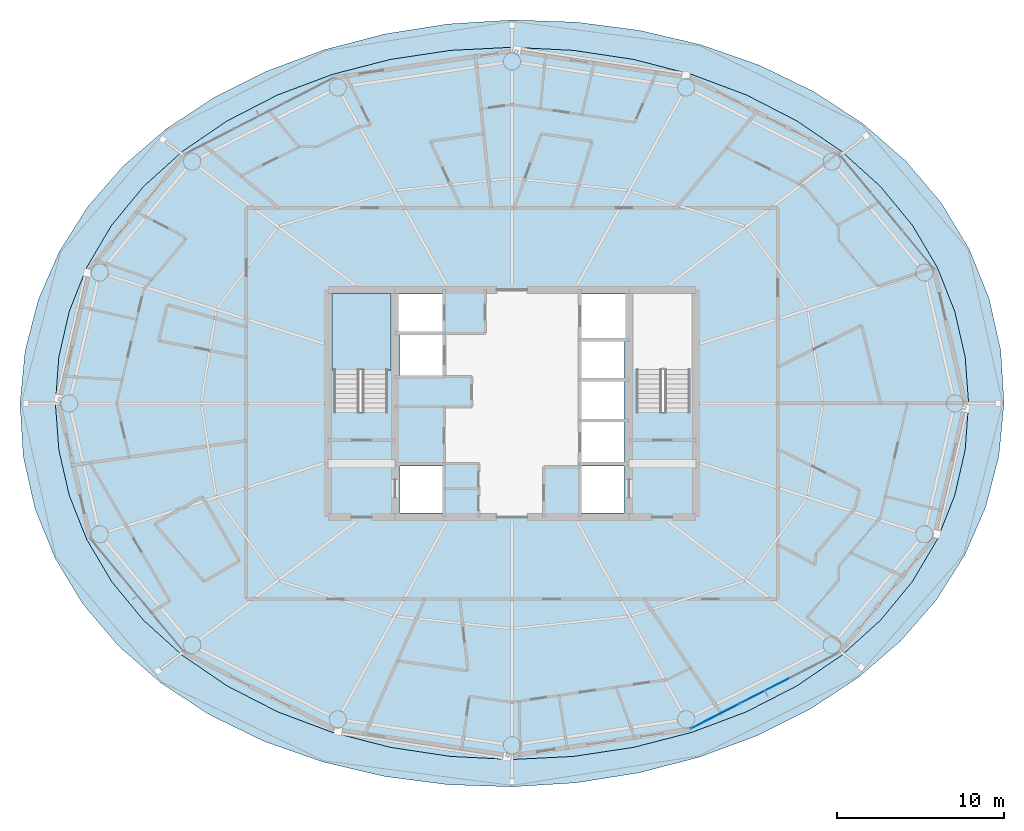
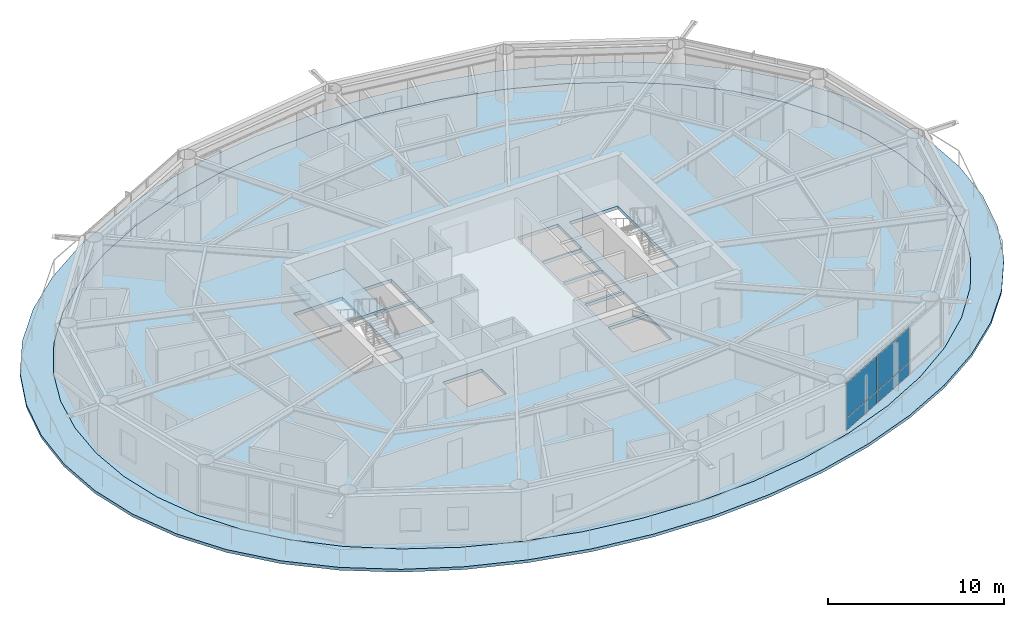
# One storey, part 18 of 29: 4 plates, 3 slabs, 2 elements without a shape of their own.
"""IFC4 building model written with IfcOpenShell, lengths in metres."""

import ifcopenshell
import ifcopenshell.guid

model = None  # the IFC model being written
_history = None  # IfcOwnerHistory: only IFC2X3 demands one
_inside = {}  # id of a spatial element -> (the spatial element, [elements in it])
_under = {}  # id of a project, library or spatial element -> (it, [spatial elements below it])
_declared = {}  # id of a project -> (the project, [libraries it declares])
_typed = {}  # id of a type object -> (the type object, [elements of that type])
_made_of = {}  # id of a material, layer set ... -> (it, [elements and type objects made of it])


def new_model(schema):
    """Start an empty IFC model of exactly this schema.

    Asked for "IFC4X3", IfcOpenShell would pick the latest addendum, in which some entities
    have other attributes; the version numbers below select the first issue.
    IFC2X3 requires an IfcOwnerHistory on every rooted entity: one is made here for all.
    """
    global model, _history
    if schema == "IFC4X3":
        model = ifcopenshell.file(schema_version=(4, 3, 0, 0))
    else:
        model = ifcopenshell.file(schema=schema)
    _inside.clear()
    _under.clear()
    _declared.clear()
    _typed.clear()
    _made_of.clear()
    _history = None
    if model.schema == "IFC2X3":
        org = make("IfcOrganization", Name="unknown")
        user = make(
            "IfcPersonAndOrganization",
            ThePerson=make("IfcPerson", FamilyName="unknown"),
            TheOrganization=org,
        )
        app = make(
            "IfcApplication",
            ApplicationDeveloper=org,
            Version="unknown",
            ApplicationFullName="unknown",
            ApplicationIdentifier="unknown",
        )
        _history = make(
            "IfcOwnerHistory",
            OwningUser=user,
            OwningApplication=app,
            ChangeAction="ADDED",
            CreationDate=0,
        )
    return model


def make(cls, **values):
    """One entity of the class cls with the attributes given. An attribute that is None is left unset."""
    return model.create_entity(
        cls, **{name: value for name, value in values.items() if value is not None}
    )


def rooted(cls, **values):
    """An entity with a GlobalId (a new one), such as an element, a storey or a relation."""
    return make(cls, GlobalId=ifcopenshell.guid.new(), OwnerHistory=_history, **values)


def si_unit(unit_type, name, prefix=None):
    """IfcSIUnit, for example si_unit("LENGTHUNIT", "METRE", prefix="MILLI")."""
    return make("IfcSIUnit", UnitType=unit_type, Prefix=prefix, Name=name)


def assignment(units):
    """IfcUnitAssignment: the units of a project."""
    return None if units is None else make("IfcUnitAssignment", Units=units)


def point(xyz):
    """IfcCartesianPoint."""
    return None if xyz is None else make("IfcCartesianPoint", Coordinates=xyz)


def direction(xyz):
    """IfcDirection."""
    return None if xyz is None else make("IfcDirection", DirectionRatios=xyz)


def frame(location, z_axis=None, x_axis=None):
    """IfcAxis2Placement3D, a coordinate frame: its origin and axes. An axis left out is left unset."""
    return make(
        "IfcAxis2Placement3D",
        Location=point(location),
        Axis=direction(z_axis),
        RefDirection=direction(x_axis),
    )


def frame_2d(location, x_axis=None):
    """IfcAxis2Placement2D, a coordinate frame in the plane: its origin and x axis."""
    return make(
        "IfcAxis2Placement2D", Location=point(location), RefDirection=direction(x_axis)
    )


def origin():
    """The frame at (0, 0, 0) with its axes left unset."""
    return frame((0.0, 0.0, 0.0))


def origin_2d():
    """The frame at (0, 0) in the plane with its x axis left unset."""
    return frame_2d((0.0, 0.0))


def place(relative_to, where):
    """IfcLocalPlacement: puts the frame where relative to a parent placement (None: the world)."""
    return make(
        "IfcLocalPlacement", PlacementRelTo=relative_to, RelativePlacement=where
    )


def context(
    kind, dimensions, precision=None, world=None, true_north=None, identifier=None
):
    """IfcGeometricRepresentationContext, for example the 3D "Model" context."""
    return make(
        "IfcGeometricRepresentationContext",
        ContextIdentifier=identifier,
        ContextType=kind,
        CoordinateSpaceDimension=dimensions,
        Precision=precision,
        WorldCoordinateSystem=world,
        TrueNorth=true_north,
    )


def subcontext(parent, identifier, kind, view, scale=None):
    """IfcGeometricRepresentationSubContext, for example "Body" below "Model"."""
    return make(
        "IfcGeometricRepresentationSubContext",
        ContextIdentifier=identifier,
        ContextType=kind,
        ParentContext=parent,
        TargetScale=scale,
        TargetView=view,
    )


def project(units=None, contexts=None):
    """IfcProject with its units and contexts."""
    return rooted(
        "IfcProject",
        Name="project",
        RepresentationContexts=contexts,
        UnitsInContext=assignment(units),
    )


def spatial(cls, under=None, at=None, **own):
    """A site, building, storey or space (cls), placed at a placement, below another one or the project."""
    s = rooted(cls, ObjectPlacement=at, **own)
    if under is not None:
        _under.setdefault(under.id(), (under, []))[1].append(s)
    return s


def polyline(points):
    """IfcPolyline through the points."""
    return make("IfcPolyline", Points=[point(p) for p in points])


def profile(cls, at=None, kind="AREA", **sizes):
    """A parametric profile (cls). Its sizes go by their IFC names, for example OverallWidth=200.0."""
    return make(cls, ProfileType=kind, Position=at, **sizes)


def rectangle(**sizes):
    """IfcRectangleProfileDef."""
    return profile("IfcRectangleProfileDef", **sizes)


def outline(outer, holes=None, kind="AREA"):
    """IfcArbitraryClosedProfileDef: a profile drawn as a closed curve; with holes, ...WithVoids."""
    if holes is None:
        return make("IfcArbitraryClosedProfileDef", ProfileType=kind, OuterCurve=outer)
    return make(
        "IfcArbitraryProfileDefWithVoids",
        ProfileType=kind,
        OuterCurve=outer,
        InnerCurves=holes,
    )


def extrude(swept, where, along, depth):
    """IfcExtrudedAreaSolid: the profile swept, set in the frame where, extruded along a direction by depth."""
    return make(
        "IfcExtrudedAreaSolid",
        SweptArea=swept,
        Position=where,
        ExtrudedDirection=direction(along),
        Depth=depth,
    )


def shape(context_of_items, identifier, shape_type, items):
    """IfcShapeRepresentation: the items that make up one representation, for example the "Body"."""
    return make(
        "IfcShapeRepresentation",
        ContextOfItems=context_of_items,
        RepresentationIdentifier=identifier,
        RepresentationType=shape_type,
        Items=items,
    )


def material(Name=None, Category=None):
    """IfcMaterial."""
    return make("IfcMaterial", Name=Name, Category=Category)


def layer(
    of_material, thickness, ventilated=None, Name=None, Category=None, Priority=None
):
    """IfcMaterialLayer: one layer of a wall or slab, of a material (None: an air gap)."""
    return make(
        "IfcMaterialLayer",
        Material=of_material,
        LayerThickness=thickness,
        IsVentilated=ventilated,
        Name=Name,
        Category=Category,
        Priority=Priority,
    )


def layer_set(layers, Name=None):
    """IfcMaterialLayerSet."""
    return make("IfcMaterialLayerSet", MaterialLayers=layers, LayerSetName=Name)


def made_of(thing, what):
    """Note that an element or type object is made of a material, layer set ...; save() writes the relation."""
    if what is not None:
        _made_of.setdefault(what.id(), (what, []))[1].append(thing)
    return thing


def type_object(cls, material=None, **own):
    """A type object (cls), such as IfcWallType, which elements share."""
    return made_of(rooted(cls, **own), material)


def element(
    cls,
    number,
    at=None,
    inside=None,
    cuts=None,
    type_object=None,
    material=None,
    context=None,
    identifier="Body",
    shape_type=None,
    held_by="IfcProductDefinitionShape",
    body=None,
    shapes=None,
    **own,
):
    """One element of the class cls, such as IfcWall. Its Tag is "e" and its number.

    at: its placement. inside: the storey or other place that contains it. cuts: it is an
    opening in that element (IfcRelVoidsElement). A single representation is given by context,
    identifier, shape_type and body (its items); several are given by shapes. held_by: the class
    of the entity that holds the representations. save() writes the other relations.
    """
    e = rooted(cls, Tag="e%d" % number, ObjectPlacement=at, **own)
    if body is not None:
        shapes = [shape(context, identifier, shape_type, body)]
    if shapes is not None:
        e.Representation = make(held_by, Representations=shapes)
    if inside is not None:
        _inside.setdefault(inside.id(), (inside, []))[1].append(e)
    if cuts is not None:
        rooted(
            "IfcRelVoidsElement", RelatingBuildingElement=cuts, RelatedOpeningElement=e
        )
    if type_object is not None:
        _typed.setdefault(type_object.id(), (type_object, []))[1].append(e)
    return made_of(e, material)


def aggregate(whole, parts):
    """IfcRelAggregates: a whole, such as a stair, and the parts it consists of."""
    return rooted("IfcRelAggregates", RelatingObject=whole, RelatedObjects=parts)


def save(model, path):
    """Write the relations noted so far, then the file.

    IfcRelAggregates (storeys below a building ...), IfcRelContainedInSpatialStructure (elements
    in a storey), IfcRelDefinesByType, IfcRelAssociatesMaterial and IfcRelDeclares: one each for
    every whole, place, type object, material and project.
    """
    for whole, parts in _under.values():
        aggregate(whole, parts)
    for where, things in _inside.values():
        rooted(
            "IfcRelContainedInSpatialStructure",
            RelatedElements=things,
            RelatingStructure=where,
        )
    for kind, things in _typed.values():
        rooted("IfcRelDefinesByType", RelatedObjects=things, RelatingType=kind)
    for what, things in _made_of.values():
        rooted("IfcRelAssociatesMaterial", RelatedObjects=things, RelatingMaterial=what)
    for by, libraries in _declared.values():
        rooted("IfcRelDeclares", RelatingContext=by, RelatedDefinitions=libraries)
    model.write(path)


model = new_model("IFC4")

# Units and contexts
model_context = context("Model", 3, precision=1e-05, world=origin(), true_north=direction((0.0, 1.0)))
body_context = subcontext(model_context, "Body", "Model", "MODEL_VIEW")
ifc_project = project(units=[si_unit("LENGTHUNIT", "METRE"), si_unit("AREAUNIT", "SQUARE_METRE"), si_unit("VOLUMEUNIT", "CUBIC_METRE"), si_unit("PLANEANGLEUNIT", "RADIAN"), si_unit("MASSUNIT", "GRAM", prefix="KILO")], contexts=[model_context])

# Site, building, storey
site_placement = place(None, origin())
site = spatial("IfcSite", under=ifc_project, at=site_placement, CompositionType="ELEMENT")
building_placement = place(site_placement, origin())
building = spatial("IfcBuilding", under=site, at=building_placement, Name="Sarneth Arch Tower", CompositionType="ELEMENT")
storey_placement = place(building_placement, frame((0.0, 0.0, 175.800048828125)))
storey = spatial("IfcBuildingStorey", under=building, at=storey_placement, Name="L44", CompositionType="ELEMENT", Elevation=175.800048828125)

# Curtain wall, plates
ifc_material_1 = material(Name="Anodised aluminium Type AA25 and solar-control low-e laminated IGU", Category="aluminium")
ifc_layer_1 = layer(ifc_material_1, 0.169921875)
ifc_layer_set_1 = layer_set([ifc_layer_1], Name="Anodised aluminium Type AA25 and solar-control low-e laminated IGU")
curtain_wall_type = type_object("IfcCurtainWallType", Name="CW-RES-MID", PredefinedType="NOTDEFINED", material=ifc_layer_set_1)
curtain_wall_placement = place(storey_placement, origin())
curtain_wall = element("IfcCurtainWall", 1, at=curtain_wall_placement, inside=storey, type_object=curtain_wall_type, Name="L44 Unitised curtain wall facet 14", PredefinedType="NOTDEFINED")
ifc_material_2 = material(Name="Solar-control low-e laminated IGU", Category="glass")
ifc_layer_2 = layer(ifc_material_2, 0.028076171875)
ifc_layer_set_2 = layer_set([ifc_layer_2], Name="Solar-control low-e laminated IGU")
plate_type = type_object("IfcPlateType", Name="CW-PANEL", PredefinedType="CURTAIN_PANEL", material=ifc_layer_set_2)
plate_1_placement = place(storey_placement, frame((60.16162109375, 23.29296875, 0.059814453125), z_axis=(0.0, 0.0, 1.0), x_axis=(0.88987293003, 0.456208470329, 0.0)))
plate_1 = element("IfcPlate", 2, at=plate_1_placement, type_object=plate_type, Name="Curtain wall glazed vision pane CW-L44-F14/P00-00", PredefinedType="CURTAIN_PANEL", context=body_context, shape_type="SweptSolid", body=[
    extrude(rectangle(XDim=3.248779296875, YDim=0.028076171875, at=origin_2d()), origin(), (0.0, 0.0, 1.0), 0.81005859375),
])
plate_2_placement = place(storey_placement, frame((60.16162109375, 23.29296875, 0.93017578125), z_axis=(0.0, 0.0, 1.0), x_axis=(0.88987293003, 0.456208470329, 0.0)))
plate_2 = element("IfcPlate", 3, at=plate_2_placement, type_object=plate_type, Name="Curtain wall glazed vision pane CW-L44-F14/P00-01", PredefinedType="CURTAIN_PANEL", context=body_context, shape_type="SweptSolid", body=[
    extrude(rectangle(XDim=3.248779296875, YDim=0.028076171875, at=origin_2d()), origin(), (0.0, 0.0, 1.0), 2.389892578125),
])
plate_3_placement = place(storey_placement, frame((63.119384765625, 24.809326171875, 0.059814453125), z_axis=(0.0, 0.0, 1.0), x_axis=(0.88987293003, 0.456208470329, 0.0)))
plate_3 = element("IfcPlate", 4, at=plate_3_placement, type_object=plate_type, Name="Curtain wall glazed vision pane CW-L44-F14/P01-00", PredefinedType="CURTAIN_PANEL", context=body_context, shape_type="SweptSolid", body=[
    extrude(rectangle(XDim=3.27880859375, YDim=0.028076171875, at=origin_2d()), origin(), (0.0, 0.0, 1.0), 0.81005859375),
])
plate_4_placement = place(storey_placement, frame((63.119384765625, 24.809326171875, 0.93017578125), z_axis=(0.0, 0.0, 1.0), x_axis=(0.88987293003, 0.456208470329, 0.0)))
plate_4 = element("IfcPlate", 5, at=plate_4_placement, type_object=plate_type, Name="Curtain wall glazed vision pane CW-L44-F14/P01-01", PredefinedType="CURTAIN_PANEL", context=body_context, shape_type="SweptSolid", body=[
    extrude(rectangle(XDim=3.27880859375, YDim=0.028076171875, at=origin_2d()), origin(), (0.0, 0.0, 1.0), 2.389892578125),
])
aggregate(curtain_wall, [plate_1, plate_2, plate_3, plate_4])

# Slab
ifc_material_3 = material(Name="Concrete C50/60", Category="concrete")
ifc_layer_3 = layer(ifc_material_3, 0.199951171875)
ifc_layer_set_3 = layer_set([ifc_layer_3], Name="Concrete C50/60")
slab_type_1 = type_object("IfcSlabType", Name="SLAB-BALC-200", PredefinedType="FLOOR", material=ifc_layer_set_3)
slab_1_placement = place(storey_placement, frame((0.0, 0.0, -0.199951171875)))
element("IfcSlab", 6, at=slab_1_placement, inside=storey, type_object=slab_type_1, Name="L44 Helical balcony band slab", PredefinedType="FLOOR", context=body_context, shape_type="SweptSolid", body=[
    extrude(outline(polyline([(77.4296875, 42.0), (77.23681640625, 45.16064453125), (76.542724609375, 48.259765625), (75.352294921875, 51.22265625), (73.679443359375, 53.986572265625), (71.546630859375, 56.5029296875), (68.989013671875, 58.733154296875), (66.054443359375, 60.6484375), (62.802978515625, 62.2265625), (59.30322265625, 63.451416015625), (55.625, 64.313232421875), (51.83642578125, 64.807373046875), (48.0, 64.93359375), (44.1748046875, 64.6953125), (40.418212890625, 64.10009765625), (36.788818359375, 63.157958984375), (33.34765625, 61.88134765625), (30.15625, 60.284912109375), (27.2724609375, 58.3857421875), (24.746826171875, 56.202392578125), (22.61865234375, 53.756103515625), (20.916259765625, 51.07275390625), (19.661865234375, 48.185791015625), (18.8740234375, 45.140869140625), (18.5703125, 42.0), (18.76318359375, 38.83935546875), (19.457275390625, 35.740234375), (20.647705078125, 32.77734375), (22.320556640625, 30.013427734375), (24.453369140625, 27.4970703125), (27.010986328125, 25.266845703125), (29.945556640625, 23.3515625), (33.197021484375, 21.7734375), (36.69677734375, 20.548583984375), (40.375, 19.686767578125), (44.16357421875, 19.192626953125), (48.0, 19.06640625), (51.8251953125, 19.3046875), (55.581787109375, 19.89990234375), (59.211181640625, 20.842041015625), (62.65234375, 22.11865234375), (65.84375, 23.715087890625), (68.7275390625, 25.6142578125), (71.253173828125, 27.797607421875), (73.38134765625, 30.243896484375), (75.083740234375, 32.92724609375), (76.338134765625, 35.814208984375), (77.1259765625, 38.859130859375), (77.4296875, 42.0)]), holes=[polyline([(75.313232421875, 42.0), (75.10595703125, 44.7802734375), (74.48095703125, 47.512939453125), (73.431396484375, 50.151123046875), (71.9521484375, 52.64990234375), (70.0458984375, 54.966552734375), (67.730712890625, 57.061279296875), (65.04052734375, 58.8984375), (62.025390625, 60.4462890625), (58.7470703125, 61.6787109375), (55.27197265625, 62.57421875), (51.667724609375, 63.11767578125), (48.0, 63.300048828125), (44.332275390625, 63.11767578125), (40.72802734375, 62.57421875), (37.2529296875, 61.6787109375), (33.974609375, 60.4462890625), (30.95947265625, 58.8984375), (28.269287109375, 57.061279296875), (25.9541015625, 54.966552734375), (24.0478515625, 52.64990234375), (22.568603515625, 50.151123046875), (21.51904296875, 47.512939453125), (20.89404296875, 44.7802734375), (20.686767578125, 42.0), (20.89404296875, 39.2197265625), (21.51904296875, 36.487060546875), (22.568603515625, 33.848876953125), (24.0478515625, 31.35009765625), (25.9541015625, 29.033447265625), (28.269287109375, 26.938720703125), (30.95947265625, 25.1015625), (33.974609375, 23.5537109375), (37.2529296875, 22.3212890625), (40.72802734375, 21.42578125), (44.332275390625, 20.88232421875), (48.0, 20.699951171875), (51.667724609375, 20.88232421875), (55.27197265625, 21.42578125), (58.7470703125, 22.3212890625), (62.025390625, 23.5537109375), (65.04052734375, 25.1015625), (67.730712890625, 26.938720703125), (70.0458984375, 29.033447265625), (71.9521484375, 31.35009765625), (73.431396484375, 33.848876953125), (74.48095703125, 36.487060546875), (75.10595703125, 39.2197265625), (75.313232421875, 42.0)])]), origin(), (0.0, 0.0, 1.0), 0.199951171875),
])

# Stair, slab
ifc_material_4 = material(Name="Concrete C50/60", Category="concrete")
stair_type = type_object("IfcStairType", Name="STAIR-CORE-RC", PredefinedType="HALF_TURN_STAIR", material=ifc_material_4)
stair_placement = place(storey_placement, origin())
stair = element("IfcStair", 7, at=stair_placement, inside=storey, type_object=stair_type, Name="L44 Core Exit Stair 1", PredefinedType="HALF_TURN_STAIR")
ifc_material_5 = material(Name="Concrete C50/60", Category="concrete")
ifc_layer_4 = layer(ifc_material_5, 0.199951171875)
ifc_layer_set_4 = layer_set([ifc_layer_4], Name="Concrete C50/60")
slab_type_2 = type_object("IfcSlabType", Name="SLAB-LANDING-200", PredefinedType="LANDING", material=ifc_layer_set_4)
slab_2_placement = place(storey_placement, frame((0.0, 0.0, 1.599853515625)))
slab_2 = element("IfcSlab", 8, at=slab_2_placement, type_object=slab_type_2, Name="ST-1 landing 1", PredefinedType="LANDING", context=body_context, shape_type="SweptSolid", body=[
    extrude(outline(polyline([(37.22509765625, 43.985107421875), (40.77490234375, 43.985107421875), (40.77490234375, 48.574951171875), (37.22509765625, 48.574951171875), (37.22509765625, 43.985107421875)])), origin(), (0.0, 0.0, 1.0), 0.2001953125),
])
aggregate(stair, [slab_2])

# Slab
ifc_material_6 = material(Name="Concrete C50/60", Category="concrete")
ifc_layer_5 = layer(ifc_material_6, 0.219970703125)
ifc_layer_set_5 = layer_set([ifc_layer_5], Name="Concrete C50/60")
slab_type_3 = type_object("IfcSlabType", Name="SLAB-TOWER-220", PredefinedType="FLOOR", material=ifc_layer_set_5)
slab_3_placement = place(storey_placement, frame((0.0, 0.0, -0.219970703125)))
element("IfcSlab", 9, at=slab_3_placement, inside=storey, type_object=slab_type_3, Name="L44 Elliptical floor slab", PredefinedType="FLOOR", context=body_context, shape_type="SweptSolid", body=[
    extrude(outline(polyline([(75.313232421875, 42.0), (75.10595703125, 44.7802734375), (74.48095703125, 47.512939453125), (73.431396484375, 50.151123046875), (71.9521484375, 52.64990234375), (70.0458984375, 54.966552734375), (67.730712890625, 57.061279296875), (65.04052734375, 58.8984375), (62.025390625, 60.4462890625), (58.7470703125, 61.6787109375), (55.27197265625, 62.57421875), (51.667724609375, 63.11767578125), (48.0, 63.300048828125), (44.332275390625, 63.11767578125), (40.72802734375, 62.57421875), (37.2529296875, 61.6787109375), (33.974609375, 60.4462890625), (30.95947265625, 58.8984375), (28.269287109375, 57.061279296875), (25.9541015625, 54.966552734375), (24.0478515625, 52.64990234375), (22.568603515625, 50.151123046875), (21.51904296875, 47.512939453125), (20.89404296875, 44.7802734375), (20.686767578125, 42.0), (20.89404296875, 39.2197265625), (21.51904296875, 36.487060546875), (22.568603515625, 33.848876953125), (24.0478515625, 31.35009765625), (25.9541015625, 29.033447265625), (28.269287109375, 26.938720703125), (30.95947265625, 25.1015625), (33.974609375, 23.5537109375), (37.2529296875, 22.3212890625), (40.72802734375, 21.42578125), (44.332275390625, 20.88232421875), (48.0, 20.699951171875), (51.667724609375, 20.88232421875), (55.27197265625, 21.42578125), (58.7470703125, 22.3212890625), (62.025390625, 23.5537109375), (65.04052734375, 25.1015625), (67.730712890625, 26.938720703125), (70.0458984375, 29.033447265625), (71.9521484375, 31.35009765625), (73.431396484375, 33.848876953125), (74.48095703125, 36.487060546875), (75.10595703125, 39.2197265625), (75.313232421875, 42.0)]), holes=[polyline([(37.35009765625, 41.489990234375), (40.550048828125, 41.489990234375), (40.550048828125, 48.39990234375), (37.35009765625, 48.39990234375), (37.35009765625, 41.489990234375)]), polyline([(55.449951171875, 41.489990234375), (58.64990234375, 41.489990234375), (58.64990234375, 48.39990234375), (55.449951171875, 48.39990234375), (55.449951171875, 41.489990234375)]), polyline([(41.199951171875, 46.25), (43.85009765625, 46.25), (43.85009765625, 48.550048828125), (41.199951171875, 48.550048828125), (41.199951171875, 46.25)]), polyline([(41.300048828125, 35.449951171875), (43.85009765625, 35.449951171875), (43.85009765625, 38.25), (41.300048828125, 38.25), (41.300048828125, 35.449951171875)]), polyline([(52.14990234375, 35.449951171875), (54.699951171875, 35.449951171875), (54.699951171875, 38.25), (52.14990234375, 38.25), (52.14990234375, 35.449951171875)]), polyline([(52.14990234375, 45.85009765625), (54.800048828125, 45.85009765625), (54.800048828125, 48.550048828125), (52.14990234375, 48.550048828125), (52.14990234375, 45.85009765625)]), polyline([(41.300048828125, 43.64990234375), (43.85009765625, 43.64990234375), (43.85009765625, 46.10009765625), (41.300048828125, 46.10009765625), (41.300048828125, 43.64990234375)]), polyline([(52.14990234375, 38.449951171875), (54.699951171875, 38.449951171875), (54.699951171875, 40.89990234375), (52.14990234375, 40.89990234375), (52.14990234375, 38.449951171875)]), polyline([(52.14990234375, 41.050048828125), (54.699951171875, 41.050048828125), (54.699951171875, 43.35009765625), (52.14990234375, 43.35009765625), (52.14990234375, 41.050048828125)]), polyline([(52.14990234375, 43.5), (54.699951171875, 43.5), (54.699951171875, 45.75), (52.14990234375, 45.75), (52.14990234375, 43.5)])]), origin(), (0.0, 0.0, 1.0), 0.219970703125),
])

save(model, "model.ifc")
